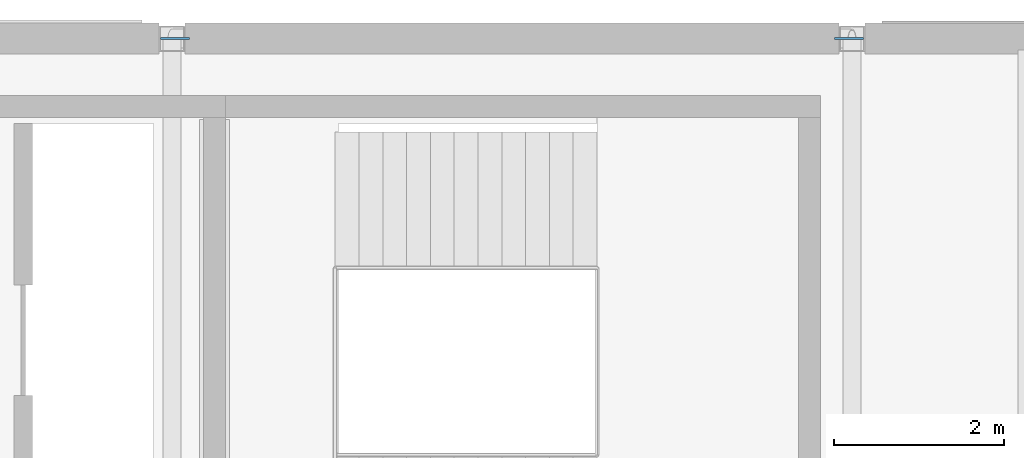
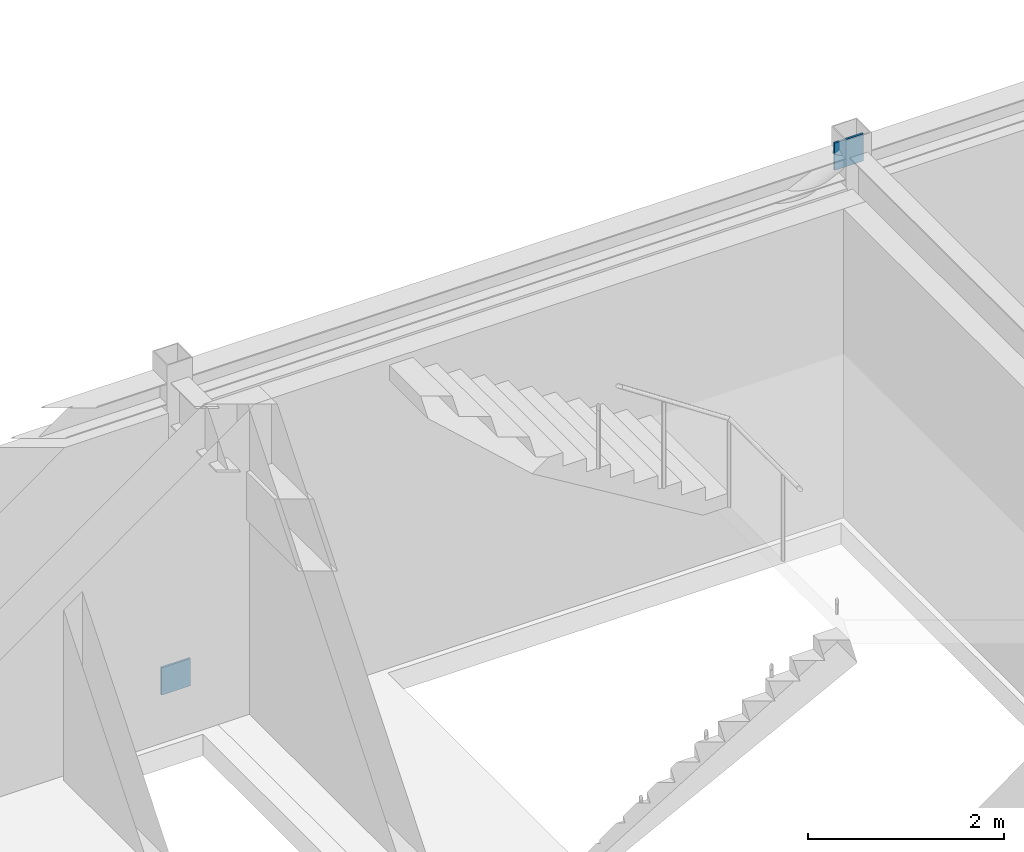
# One storey, part 153 of 165: 2 discrete accessories.
"""IFC4 building model written with IfcOpenShell, lengths in metres."""

from ifc_helpers import new_model, si_unit, direction, frame, origin, origin_2d, place, context, subcontext, project, spatial, rectangle, extrude, material, type_object, element, save


model = new_model("IFC4")

# Units and contexts
model_context = context("Model", 3, precision=1e-05, world=origin(), true_north=direction((0.0, 1.0)))
body_context = subcontext(model_context, "Body", "Model", "MODEL_VIEW")
ifc_project = project(units=[si_unit("LENGTHUNIT", "METRE"), si_unit("AREAUNIT", "SQUARE_METRE"), si_unit("VOLUMEUNIT", "CUBIC_METRE"), si_unit("PLANEANGLEUNIT", "RADIAN"), si_unit("MASSUNIT", "GRAM", prefix="KILO")], contexts=[model_context])

# Site, building, storey
site_placement = place(None, origin())
site = spatial("IfcSite", under=ifc_project, at=site_placement, CompositionType="ELEMENT")
building_placement = place(site_placement, origin())
building = spatial("IfcBuilding", under=site, at=building_placement, Name="Montecoro Central Library", CompositionType="ELEMENT")
storey_placement = place(building_placement, frame((0.0, 0.0, 5.10009765625)))
storey = spatial("IfcBuildingStorey", under=building, at=storey_placement, Name="L01", CompositionType="ELEMENT", Elevation=5.10009765625)

# Discrete accessories
ifc_material = material(Name="Steel S355", Category="steel")
discrete_accessory_type = type_object("IfcDiscreteAccessoryType", Name="GUSSET-PLT-01", PredefinedType="BRACKET", material=ifc_material)
for number, where, z_axis, x_axis, name in (
    (1, (149.035888671875, 119.0, -0.14306640625), (0.0, 0.0, 1.0), (1.0, 0.0, 0.0), "V5-L01-BRN1-GPA"),
    (2, (156.964111328125, 119.0, 3.61767578125), (0.0, 0.0, 1.0), (1.0, 0.0, 0.0), "V5-L01-BRN1-GPB"),
):
    element("IfcDiscreteAccessory", number, at=place(storey_placement, frame(where, z_axis=z_axis, x_axis=x_axis)), inside=storey, type_object=discrete_accessory_type, Name=name, PredefinedType="BRACKET", context=body_context, shape_type="SweptSolid", body=[
        extrude(rectangle(XDim=0.340087890625, YDim=0.02392578125, at=origin_2d()), origin(), (0.0, 0.0, 1.0), 0.340087890625),
    ])

save(model, "model.ifc")
